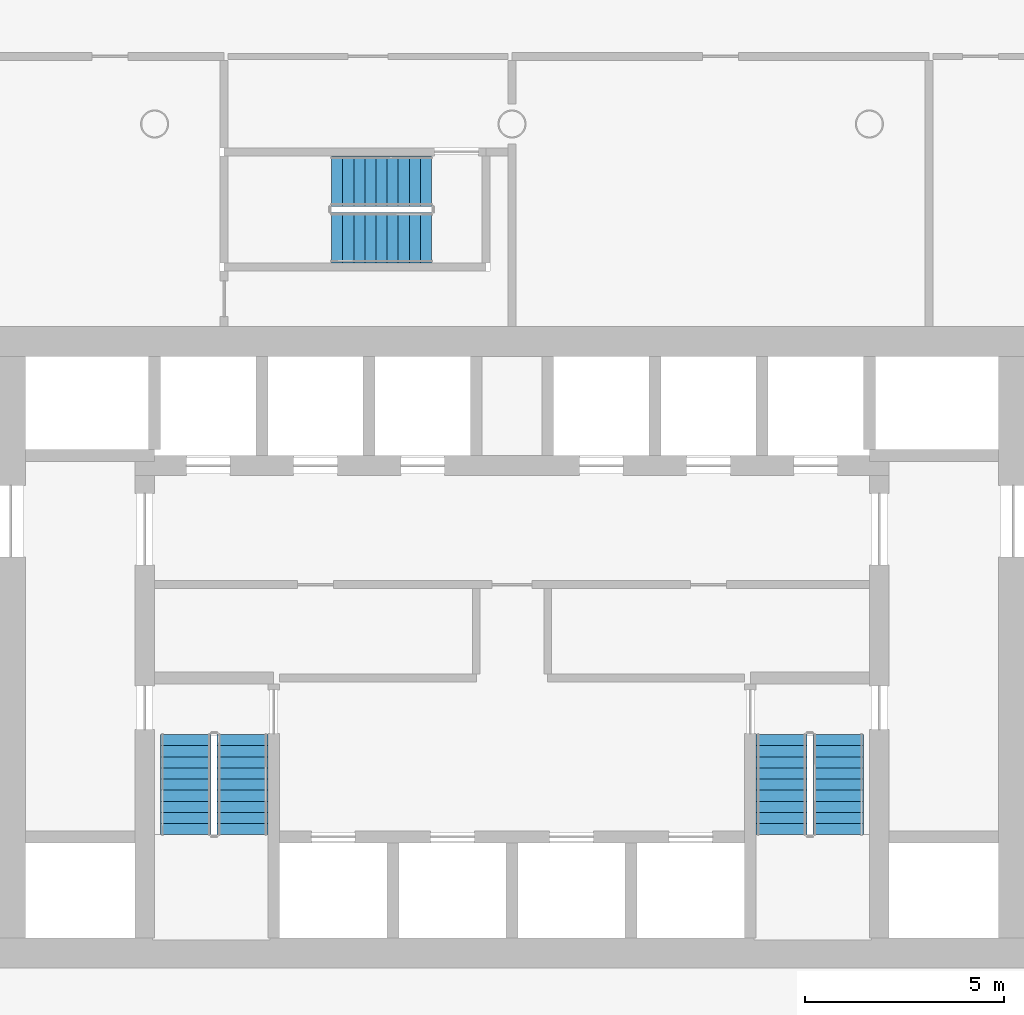
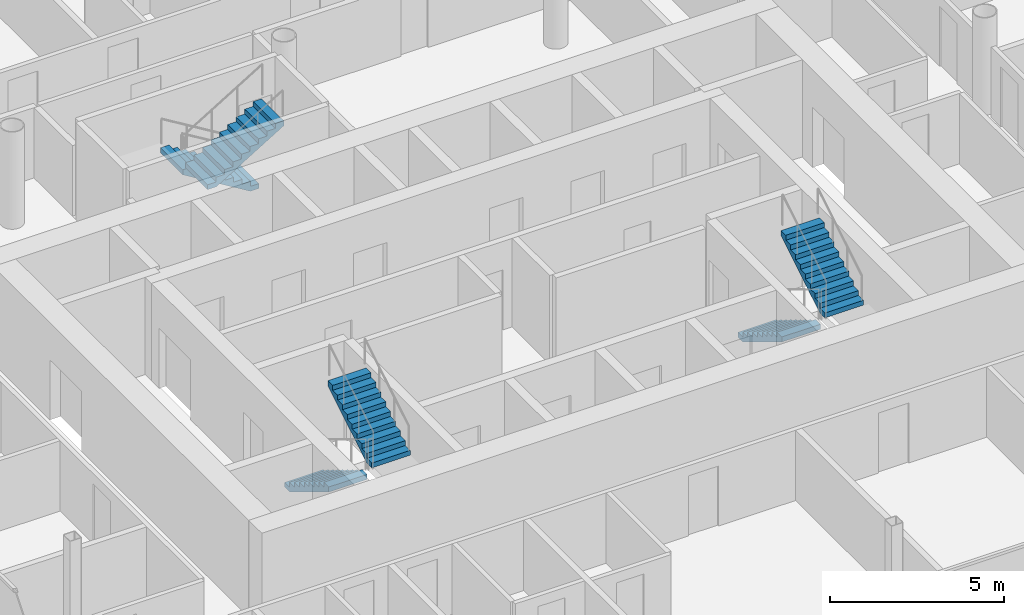
# One storey, part 17 of 22: 6 stair flights, 3 elements without a shape of their own.
"""IFC4 building model written with IfcOpenShell, lengths in metres."""

import ifcopenshell
import ifcopenshell.guid

model = None  # the IFC model being written
_history = None  # IfcOwnerHistory: only IFC2X3 demands one
_inside = {}  # id of a spatial element -> (the spatial element, [elements in it])
_under = {}  # id of a project, library or spatial element -> (it, [spatial elements below it])
_declared = {}  # id of a project -> (the project, [libraries it declares])
_typed = {}  # id of a type object -> (the type object, [elements of that type])
_made_of = {}  # id of a material, layer set ... -> (it, [elements and type objects made of it])


def new_model(schema):
    """Start an empty IFC model of exactly this schema.

    Asked for "IFC4X3", IfcOpenShell would pick the latest addendum, in which some entities
    have other attributes; the version numbers below select the first issue.
    IFC2X3 requires an IfcOwnerHistory on every rooted entity: one is made here for all.
    """
    global model, _history
    if schema == "IFC4X3":
        model = ifcopenshell.file(schema_version=(4, 3, 0, 0))
    else:
        model = ifcopenshell.file(schema=schema)
    _inside.clear()
    _under.clear()
    _declared.clear()
    _typed.clear()
    _made_of.clear()
    _history = None
    if model.schema == "IFC2X3":
        org = make("IfcOrganization", Name="unknown")
        user = make(
            "IfcPersonAndOrganization",
            ThePerson=make("IfcPerson", FamilyName="unknown"),
            TheOrganization=org,
        )
        app = make(
            "IfcApplication",
            ApplicationDeveloper=org,
            Version="unknown",
            ApplicationFullName="unknown",
            ApplicationIdentifier="unknown",
        )
        _history = make(
            "IfcOwnerHistory",
            OwningUser=user,
            OwningApplication=app,
            ChangeAction="ADDED",
            CreationDate=0,
        )
    return model


def make(cls, **values):
    """One entity of the class cls with the attributes given. An attribute that is None is left unset."""
    return model.create_entity(
        cls, **{name: value for name, value in values.items() if value is not None}
    )


def rooted(cls, **values):
    """An entity with a GlobalId (a new one), such as an element, a storey or a relation."""
    return make(cls, GlobalId=ifcopenshell.guid.new(), OwnerHistory=_history, **values)


def si_unit(unit_type, name, prefix=None):
    """IfcSIUnit, for example si_unit("LENGTHUNIT", "METRE", prefix="MILLI")."""
    return make("IfcSIUnit", UnitType=unit_type, Prefix=prefix, Name=name)


def assignment(units):
    """IfcUnitAssignment: the units of a project."""
    return None if units is None else make("IfcUnitAssignment", Units=units)


def point(xyz):
    """IfcCartesianPoint."""
    return None if xyz is None else make("IfcCartesianPoint", Coordinates=xyz)


def direction(xyz):
    """IfcDirection."""
    return None if xyz is None else make("IfcDirection", DirectionRatios=xyz)


def frame(location, z_axis=None, x_axis=None):
    """IfcAxis2Placement3D, a coordinate frame: its origin and axes. An axis left out is left unset."""
    return make(
        "IfcAxis2Placement3D",
        Location=point(location),
        Axis=direction(z_axis),
        RefDirection=direction(x_axis),
    )


def origin():
    """The frame at (0, 0, 0) with its axes left unset."""
    return frame((0.0, 0.0, 0.0))


def place(relative_to, where):
    """IfcLocalPlacement: puts the frame where relative to a parent placement (None: the world)."""
    return make(
        "IfcLocalPlacement", PlacementRelTo=relative_to, RelativePlacement=where
    )


def context(
    kind, dimensions, precision=None, world=None, true_north=None, identifier=None
):
    """IfcGeometricRepresentationContext, for example the 3D "Model" context."""
    return make(
        "IfcGeometricRepresentationContext",
        ContextIdentifier=identifier,
        ContextType=kind,
        CoordinateSpaceDimension=dimensions,
        Precision=precision,
        WorldCoordinateSystem=world,
        TrueNorth=true_north,
    )


def subcontext(parent, identifier, kind, view, scale=None):
    """IfcGeometricRepresentationSubContext, for example "Body" below "Model"."""
    return make(
        "IfcGeometricRepresentationSubContext",
        ContextIdentifier=identifier,
        ContextType=kind,
        ParentContext=parent,
        TargetScale=scale,
        TargetView=view,
    )


def project(units=None, contexts=None):
    """IfcProject with its units and contexts."""
    return rooted(
        "IfcProject",
        Name="project",
        RepresentationContexts=contexts,
        UnitsInContext=assignment(units),
    )


def spatial(cls, under=None, at=None, **own):
    """A site, building, storey or space (cls), placed at a placement, below another one or the project."""
    s = rooted(cls, ObjectPlacement=at, **own)
    if under is not None:
        _under.setdefault(under.id(), (under, []))[1].append(s)
    return s


def polyline(points):
    """IfcPolyline through the points."""
    return make("IfcPolyline", Points=[point(p) for p in points])


def outline(outer, holes=None, kind="AREA"):
    """IfcArbitraryClosedProfileDef: a profile drawn as a closed curve; with holes, ...WithVoids."""
    if holes is None:
        return make("IfcArbitraryClosedProfileDef", ProfileType=kind, OuterCurve=outer)
    return make(
        "IfcArbitraryProfileDefWithVoids",
        ProfileType=kind,
        OuterCurve=outer,
        InnerCurves=holes,
    )


def extrude(swept, where, along, depth):
    """IfcExtrudedAreaSolid: the profile swept, set in the frame where, extruded along a direction by depth."""
    return make(
        "IfcExtrudedAreaSolid",
        SweptArea=swept,
        Position=where,
        ExtrudedDirection=direction(along),
        Depth=depth,
    )


def shape(context_of_items, identifier, shape_type, items):
    """IfcShapeRepresentation: the items that make up one representation, for example the "Body"."""
    return make(
        "IfcShapeRepresentation",
        ContextOfItems=context_of_items,
        RepresentationIdentifier=identifier,
        RepresentationType=shape_type,
        Items=items,
    )


def material(Name=None, Category=None):
    """IfcMaterial."""
    return make("IfcMaterial", Name=Name, Category=Category)


def made_of(thing, what):
    """Note that an element or type object is made of a material, layer set ...; save() writes the relation."""
    if what is not None:
        _made_of.setdefault(what.id(), (what, []))[1].append(thing)
    return thing


def type_object(cls, material=None, **own):
    """A type object (cls), such as IfcWallType, which elements share."""
    return made_of(rooted(cls, **own), material)


def element(
    cls,
    number,
    at=None,
    inside=None,
    cuts=None,
    type_object=None,
    material=None,
    context=None,
    identifier="Body",
    shape_type=None,
    held_by="IfcProductDefinitionShape",
    body=None,
    shapes=None,
    **own,
):
    """One element of the class cls, such as IfcWall. Its Tag is "e" and its number.

    at: its placement. inside: the storey or other place that contains it. cuts: it is an
    opening in that element (IfcRelVoidsElement). A single representation is given by context,
    identifier, shape_type and body (its items); several are given by shapes. held_by: the class
    of the entity that holds the representations. save() writes the other relations.
    """
    e = rooted(cls, Tag="e%d" % number, ObjectPlacement=at, **own)
    if body is not None:
        shapes = [shape(context, identifier, shape_type, body)]
    if shapes is not None:
        e.Representation = make(held_by, Representations=shapes)
    if inside is not None:
        _inside.setdefault(inside.id(), (inside, []))[1].append(e)
    if cuts is not None:
        rooted(
            "IfcRelVoidsElement", RelatingBuildingElement=cuts, RelatedOpeningElement=e
        )
    if type_object is not None:
        _typed.setdefault(type_object.id(), (type_object, []))[1].append(e)
    return made_of(e, material)


def aggregate(whole, parts):
    """IfcRelAggregates: a whole, such as a stair, and the parts it consists of."""
    return rooted("IfcRelAggregates", RelatingObject=whole, RelatedObjects=parts)


def save(model, path):
    """Write the relations noted so far, then the file.

    IfcRelAggregates (storeys below a building ...), IfcRelContainedInSpatialStructure (elements
    in a storey), IfcRelDefinesByType, IfcRelAssociatesMaterial and IfcRelDeclares: one each for
    every whole, place, type object, material and project.
    """
    for whole, parts in _under.values():
        aggregate(whole, parts)
    for where, things in _inside.values():
        rooted(
            "IfcRelContainedInSpatialStructure",
            RelatedElements=things,
            RelatingStructure=where,
        )
    for kind, things in _typed.values():
        rooted("IfcRelDefinesByType", RelatedObjects=things, RelatingType=kind)
    for what, things in _made_of.values():
        rooted("IfcRelAssociatesMaterial", RelatedObjects=things, RelatingMaterial=what)
    for by, libraries in _declared.values():
        rooted("IfcRelDeclares", RelatingContext=by, RelatedDefinitions=libraries)
    model.write(path)


model = new_model("IFC4")

# Units and contexts
model_context = context("Model", 3, precision=1e-05, world=origin(), true_north=direction((0.0, 1.0)))
body_context = subcontext(model_context, "Body", "Model", "MODEL_VIEW")
ifc_project = project(units=[si_unit("LENGTHUNIT", "METRE"), si_unit("AREAUNIT", "SQUARE_METRE"), si_unit("VOLUMEUNIT", "CUBIC_METRE"), si_unit("PLANEANGLEUNIT", "RADIAN"), si_unit("MASSUNIT", "GRAM", prefix="KILO")], contexts=[model_context])

# Site, building, storey
site_placement = place(None, origin())
site = spatial("IfcSite", under=ifc_project, at=site_placement, CompositionType="ELEMENT")
building_placement = place(site_placement, origin())
building = spatial("IfcBuilding", under=site, at=building_placement, Name="Tskaro Facet Tower", CompositionType="ELEMENT")
storey_placement = place(building_placement, frame((0.0, 0.0, 121.5)))
storey = spatial("IfcBuildingStorey", under=building, at=storey_placement, Name="L28", CompositionType="ELEMENT", Elevation=121.5)

# Stair, stair flights
ifc_material = material(Name="Concrete C40/50", Category="concrete")
stair_type = type_object("IfcStairType", Name="ST-TWR", PredefinedType="HALF_TURN_STAIR", material=ifc_material)
stair_1_placement = place(storey_placement, origin())
stair_1 = element("IfcStair", 1, at=stair_1_placement, inside=storey, type_object=stair_type, Name="L28 Exit stair 1", PredefinedType="HALF_TURN_STAIR")
stair_flight_type = type_object("IfcStairFlightType", Name="SFL-RC", PredefinedType="STRAIGHT", material=ifc_material)
stair_flight_1_placement = place(storey_placement, frame((-8.21240234375, -6.375, 0.0), z_axis=(0.0, 0.0, 1.0), x_axis=(0.0, -1.0, 0.0)))
stair_flight_1 = element("IfcStairFlight", 2, at=stair_flight_1_placement, type_object=stair_flight_type, Name="ST-1 flight 1", NumberOfRisers=10, NumberOfTreads=9, PredefinedType="STRAIGHT", RiserHeight=0.17, TreadLength=0.28, context=body_context, shape_type="SweptSolid", body=[
    extrude(outline(polyline([(0.0, 0.0), (0.0, 0.169921875), (0.280029296875, 0.169921875), (0.280029296875, 0.340087890625), (0.56005859375, 0.340087890625), (0.56005859375, 0.510009765625), (0.840087890625, 0.510009765625), (0.840087890625, 0.679931640625), (1.1201171875, 0.679931640625), (1.1201171875, 0.85009765625), (1.39990234375, 0.85009765625), (1.39990234375, 1.02001953125), (1.679931640625, 1.02001953125), (1.679931640625, 1.18994140625), (1.9599609375, 1.18994140625), (1.9599609375, 1.360107421875), (2.239990234375, 1.360107421875), (2.239990234375, 1.530029296875), (2.52001953125, 1.530029296875), (2.52001953125, 1.699951171875), (2.52001953125, 1.354736328125), (0.288818359375, 0.0), (0.0, 0.0)])), frame((0.0, 0.637451171875, 0.0), z_axis=(0.0, -1.0, 0.0), x_axis=(1.0, 0.0, 0.0)), (0.0, 0.0, 1.0), 1.27490234375),
])
stair_flight_2_placement = place(storey_placement, frame((-6.78759765625, -8.89501953125, 1.699951171875), z_axis=(0.0, 0.0, 1.0), x_axis=(0.0, 1.0, 0.0)))
stair_flight_2 = element("IfcStairFlight", 3, at=stair_flight_2_placement, type_object=stair_flight_type, Name="ST-1 flight 2", NumberOfRisers=10, NumberOfTreads=9, PredefinedType="STRAIGHT", RiserHeight=0.17, TreadLength=0.28, context=body_context, shape_type="SweptSolid", body=[
    extrude(outline(polyline([(0.0, 0.0), (0.0, 0.169921875), (0.280029296875, 0.169921875), (0.280029296875, 0.340087890625), (0.56005859375, 0.340087890625), (0.56005859375, 0.510009765625), (0.840087890625, 0.510009765625), (0.840087890625, 0.679931640625), (1.1201171875, 0.679931640625), (1.1201171875, 0.85009765625), (1.39990234375, 0.85009765625), (1.39990234375, 1.02001953125), (1.679931640625, 1.02001953125), (1.679931640625, 1.18994140625), (1.9599609375, 1.18994140625), (1.9599609375, 1.360107421875), (2.239990234375, 1.360107421875), (2.239990234375, 1.530029296875), (2.52001953125, 1.530029296875), (2.52001953125, 1.699951171875), (2.52001953125, 1.354736328125), (0.288818359375, 0.0), (0.0, 0.0)])), frame((0.0, 0.637451171875, 0.0), z_axis=(0.0, -1.0, 0.0), x_axis=(1.0, 0.0, 0.0)), (0.0, 0.0, 1.0), 1.27490234375),
])
aggregate(stair_1, [stair_flight_1, stair_flight_2])

stair_2_placement = place(storey_placement, origin())
stair_2 = element("IfcStair", 4, at=stair_2_placement, inside=storey, type_object=stair_type, Name="L28 Exit stair 2", PredefinedType="HALF_TURN_STAIR")
stair_flight_3_placement = place(storey_placement, frame((6.78759765625, -6.375, 0.0), z_axis=(0.0, 0.0, 1.0), x_axis=(0.0, -1.0, 0.0)))
stair_flight_3 = element("IfcStairFlight", 5, at=stair_flight_3_placement, type_object=stair_flight_type, Name="ST-2 flight 1", NumberOfRisers=10, NumberOfTreads=9, PredefinedType="STRAIGHT", RiserHeight=0.17, TreadLength=0.28, context=body_context, shape_type="SweptSolid", body=[
    extrude(outline(polyline([(0.0, 0.0), (0.0, 0.169921875), (0.280029296875, 0.169921875), (0.280029296875, 0.340087890625), (0.56005859375, 0.340087890625), (0.56005859375, 0.510009765625), (0.840087890625, 0.510009765625), (0.840087890625, 0.679931640625), (1.1201171875, 0.679931640625), (1.1201171875, 0.85009765625), (1.39990234375, 0.85009765625), (1.39990234375, 1.02001953125), (1.679931640625, 1.02001953125), (1.679931640625, 1.18994140625), (1.9599609375, 1.18994140625), (1.9599609375, 1.360107421875), (2.239990234375, 1.360107421875), (2.239990234375, 1.530029296875), (2.52001953125, 1.530029296875), (2.52001953125, 1.699951171875), (2.52001953125, 1.354736328125), (0.288818359375, 0.0), (0.0, 0.0)])), frame((0.0, 0.637451171875, 0.0), z_axis=(0.0, -1.0, 0.0), x_axis=(1.0, 0.0, 0.0)), (0.0, 0.0, 1.0), 1.27490234375),
])
stair_flight_4_placement = place(storey_placement, frame((8.21240234375, -8.89501953125, 1.699951171875), z_axis=(0.0, 0.0, 1.0), x_axis=(0.0, 1.0, 0.0)))
stair_flight_4 = element("IfcStairFlight", 6, at=stair_flight_4_placement, type_object=stair_flight_type, Name="ST-2 flight 2", NumberOfRisers=10, NumberOfTreads=9, PredefinedType="STRAIGHT", RiserHeight=0.17, TreadLength=0.28, context=body_context, shape_type="SweptSolid", body=[
    extrude(outline(polyline([(0.0, 0.0), (0.0, 0.169921875), (0.280029296875, 0.169921875), (0.280029296875, 0.340087890625), (0.56005859375, 0.340087890625), (0.56005859375, 0.510009765625), (0.840087890625, 0.510009765625), (0.840087890625, 0.679931640625), (1.1201171875, 0.679931640625), (1.1201171875, 0.85009765625), (1.39990234375, 0.85009765625), (1.39990234375, 1.02001953125), (1.679931640625, 1.02001953125), (1.679931640625, 1.18994140625), (1.9599609375, 1.18994140625), (1.9599609375, 1.360107421875), (2.239990234375, 1.360107421875), (2.239990234375, 1.530029296875), (2.52001953125, 1.530029296875), (2.52001953125, 1.699951171875), (2.52001953125, 1.354736328125), (0.288818359375, 0.0), (0.0, 0.0)])), frame((0.0, 0.637451171875, 0.0), z_axis=(0.0, -1.0, 0.0), x_axis=(1.0, 0.0, 0.0)), (0.0, 0.0, 1.0), 1.27490234375),
])
aggregate(stair_2, [stair_flight_3, stair_flight_4])

stair_3_placement = place(storey_placement, origin())
stair_3 = element("IfcStair", 7, at=stair_3_placement, inside=storey, type_object=stair_type, Name="L28 Exit stair 3", PredefinedType="HALF_TURN_STAIR")
stair_flight_5_placement = place(storey_placement, frame((-2.02490234375, 7.5625, 0.0), z_axis=(0.0, 0.0, 1.0), x_axis=(-1.0, 0.0, 0.0)))
stair_flight_5 = element("IfcStairFlight", 8, at=stair_flight_5_placement, type_object=stair_flight_type, Name="ST-3 flight 1", NumberOfRisers=10, NumberOfTreads=9, PredefinedType="STRAIGHT", RiserHeight=0.17, TreadLength=0.28, context=body_context, shape_type="SweptSolid", body=[
    extrude(outline(polyline([(0.0, 0.0), (0.0, 0.169921875), (0.280029296875, 0.169921875), (0.280029296875, 0.340087890625), (0.56005859375, 0.340087890625), (0.56005859375, 0.510009765625), (0.840087890625, 0.510009765625), (0.840087890625, 0.679931640625), (1.1201171875, 0.679931640625), (1.1201171875, 0.85009765625), (1.39990234375, 0.85009765625), (1.39990234375, 1.02001953125), (1.679931640625, 1.02001953125), (1.679931640625, 1.18994140625), (1.9599609375, 1.18994140625), (1.9599609375, 1.360107421875), (2.239990234375, 1.360107421875), (2.239990234375, 1.530029296875), (2.52001953125, 1.530029296875), (2.52001953125, 1.699951171875), (2.52001953125, 1.354736328125), (0.288818359375, 0.0), (0.0, 0.0)])), frame((0.0, 0.637451171875, 0.0), z_axis=(0.0, -1.0, 0.0), x_axis=(1.0, 0.0, 0.0)), (0.0, 0.0, 1.0), 1.27490234375),
])
stair_flight_6_placement = place(storey_placement, frame((-4.544921875, 6.137451171875, 1.699951171875), z_axis=(0.0, 0.0, 1.0), x_axis=(1.0, 0.0, 0.0)))
stair_flight_6 = element("IfcStairFlight", 9, at=stair_flight_6_placement, type_object=stair_flight_type, Name="ST-3 flight 2", NumberOfRisers=10, NumberOfTreads=9, PredefinedType="STRAIGHT", RiserHeight=0.17, TreadLength=0.28, context=body_context, shape_type="SweptSolid", body=[
    extrude(outline(polyline([(0.0, 0.0), (0.0, 0.169921875), (0.280029296875, 0.169921875), (0.280029296875, 0.340087890625), (0.56005859375, 0.340087890625), (0.56005859375, 0.510009765625), (0.840087890625, 0.510009765625), (0.840087890625, 0.679931640625), (1.1201171875, 0.679931640625), (1.1201171875, 0.85009765625), (1.39990234375, 0.85009765625), (1.39990234375, 1.02001953125), (1.679931640625, 1.02001953125), (1.679931640625, 1.18994140625), (1.9599609375, 1.18994140625), (1.9599609375, 1.360107421875), (2.239990234375, 1.360107421875), (2.239990234375, 1.530029296875), (2.52001953125, 1.530029296875), (2.52001953125, 1.699951171875), (2.52001953125, 1.354736328125), (0.288818359375, 0.0), (0.0, 0.0)])), frame((0.0, 0.637451171875, 0.0), z_axis=(0.0, -1.0, 0.0), x_axis=(1.0, 0.0, 0.0)), (0.0, 0.0, 1.0), 1.27490234375),
])
aggregate(stair_3, [stair_flight_5, stair_flight_6])

save(model, "model.ifc")
